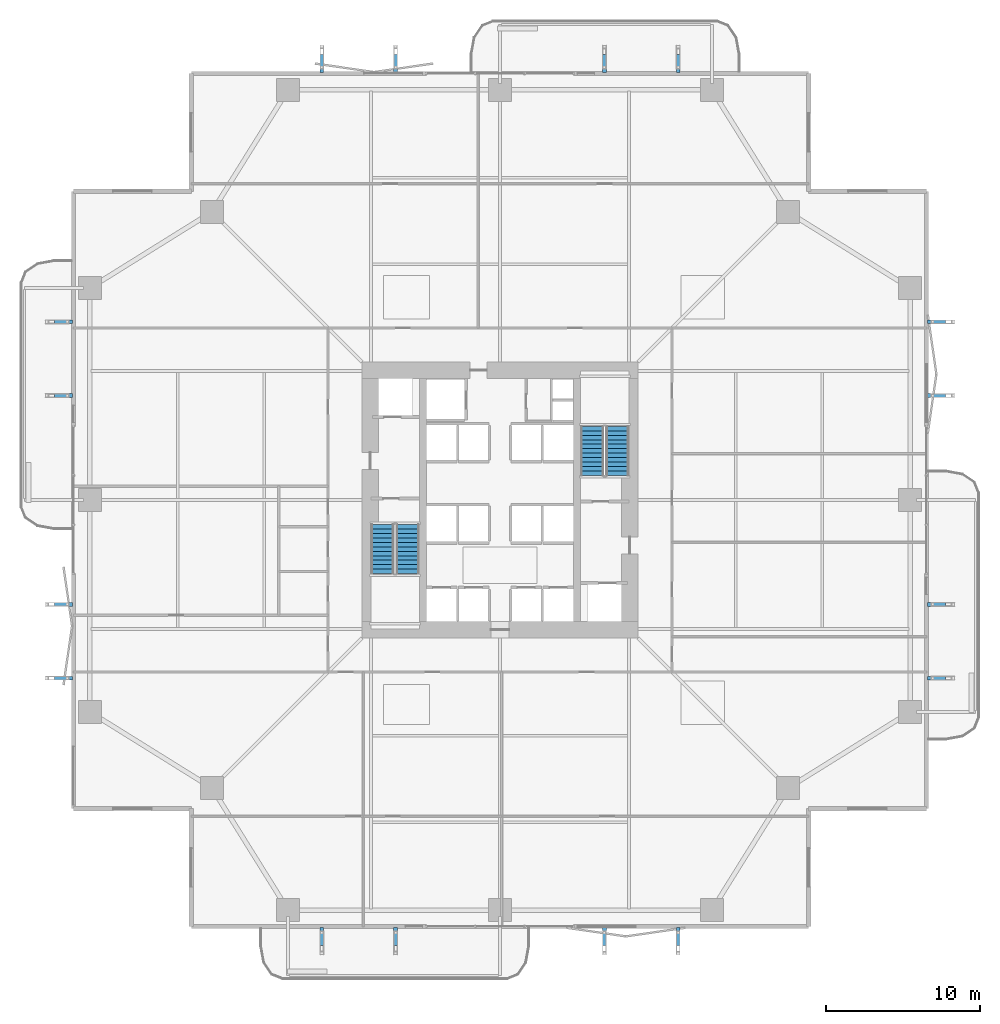
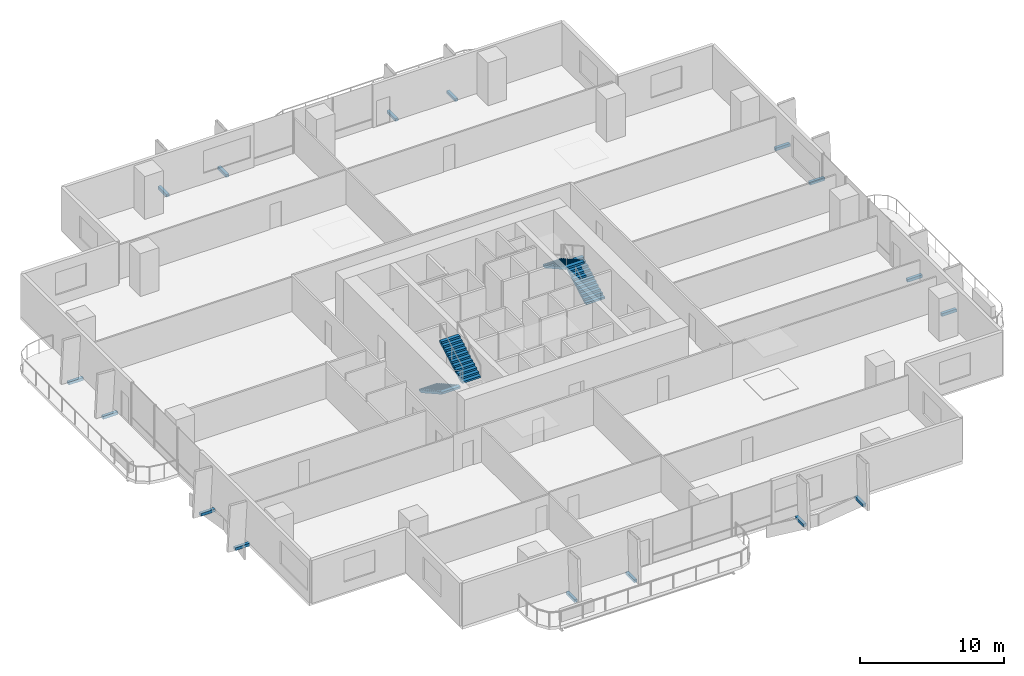
# One storey, part 20 of 23: 16 discrete accessories, 4 stair flights, 2 elements without a shape of their own.
"""IFC4 building model written with IfcOpenShell, lengths in metres."""

from ifc_helpers import new_model, si_unit, direction, frame, origin, origin_2d, place, context, subcontext, project, spatial, polyline, rectangle, outline, extrude, material, layer, layer_set, type_object, element, aggregate, save


model = new_model("IFC4")

# Units and contexts
model_context = context("Model", 3, precision=1e-05, world=origin(), true_north=direction((0.0, 1.0)))
body_context = subcontext(model_context, "Body", "Model", "MODEL_VIEW")
ifc_project = project(units=[si_unit("LENGTHUNIT", "METRE"), si_unit("AREAUNIT", "SQUARE_METRE"), si_unit("VOLUMEUNIT", "CUBIC_METRE"), si_unit("PLANEANGLEUNIT", "RADIAN"), si_unit("MASSUNIT", "GRAM", prefix="KILO")], contexts=[model_context])

# Site, building, storey
site_placement = place(None, origin())
site = spatial("IfcSite", under=ifc_project, at=site_placement, CompositionType="ELEMENT")
building_placement = place(site_placement, origin())
building = spatial("IfcBuilding", under=site, at=building_placement, Name="Belovzor Exchange Tower", CompositionType="ELEMENT")
storey_placement = place(building_placement, frame((0.0, 0.0, 76.800048828125)))
storey = spatial("IfcBuildingStorey", under=building, at=storey_placement, Name="L18", CompositionType="ELEMENT", Elevation=76.800048828125)

# Stair, stair flights
ifc_material_1 = material(Name="Concrete C40/50", Category="concrete")
stair_type = type_object("IfcStairType", Name="Reinforced Concrete Dogleg Escape Stair 1350", PredefinedType="HALF_TURN_STAIR", material=ifc_material_1)
stair_1_placement = place(storey_placement, origin())
stair_1 = element("IfcStair", 1, at=stair_1_placement, inside=storey, type_object=stair_type, Name="L18 ST-1", PredefinedType="HALF_TURN_STAIR")
ifc_material_2 = material(Name="Concrete C40/50", Category="concrete")
stair_flight_type = type_object("IfcStairFlightType", Name="Reinforced Concrete Stair Flight 1350", PredefinedType="STRAIGHT", material=ifc_material_2)
stair_flight_1_placement = place(storey_placement, frame((21.14990234375, 27.199951171875, 0.0), z_axis=(0.0, 0.0, 1.0), x_axis=(0.0, -1.0, 0.0)))
stair_flight_1 = element("IfcStairFlight", 2, at=stair_flight_1_placement, type_object=stair_flight_type, Name="ST-1 flight 1", NumberOfRisers=12, NumberOfTreads=11, PredefinedType="STRAIGHT", RiserHeight=0.1625, TreadLength=0.29, context=body_context, shape_type="SweptSolid", body=[
    extrude(outline(polyline([(0.0, 0.0), (0.0, 0.16259765625), (0.2900390625, 0.16259765625), (0.2900390625, 0.324951171875), (0.580078125, 0.324951171875), (0.580078125, 0.487548828125), (0.8701171875, 0.487548828125), (0.8701171875, 0.64990234375), (1.159912109375, 0.64990234375), (1.159912109375, 0.8125), (1.449951171875, 0.8125), (1.449951171875, 0.97509765625), (1.739990234375, 0.97509765625), (1.739990234375, 1.137451171875), (2.030029296875, 1.137451171875), (2.030029296875, 1.300048828125), (2.320068359375, 1.300048828125), (2.320068359375, 1.46240234375), (2.610107421875, 1.46240234375), (2.610107421875, 1.625), (2.89990234375, 1.625), (2.89990234375, 1.78759765625), (3.18994140625, 1.78759765625), (3.18994140625, 1.949951171875), (3.18994140625, 1.61572265625), (0.306640625, 0.0), (0.0, 0.0)])), frame((0.0, 0.75, 0.0), z_axis=(0.0, -1.0, 0.0), x_axis=(1.0, 0.0, 0.0)), (0.0, 0.0, 1.0), 1.5),
])
stair_flight_2_placement = place(storey_placement, frame((22.800048828125, 24.010009765625, 1.949951171875), z_axis=(0.0, 0.0, 1.0), x_axis=(0.0, 1.0, 0.0)))
stair_flight_2 = element("IfcStairFlight", 3, at=stair_flight_2_placement, type_object=stair_flight_type, Name="ST-1 flight 2", NumberOfRisers=12, NumberOfTreads=11, PredefinedType="STRAIGHT", RiserHeight=0.1625, TreadLength=0.29, context=body_context, shape_type="SweptSolid", body=[
    extrude(outline(polyline([(0.0, 0.0), (0.0, 0.16259765625), (0.2900390625, 0.16259765625), (0.2900390625, 0.324951171875), (0.580078125, 0.324951171875), (0.580078125, 0.487548828125), (0.8701171875, 0.487548828125), (0.8701171875, 0.64990234375), (1.159912109375, 0.64990234375), (1.159912109375, 0.8125), (1.449951171875, 0.8125), (1.449951171875, 0.97509765625), (1.739990234375, 0.97509765625), (1.739990234375, 1.137451171875), (2.030029296875, 1.137451171875), (2.030029296875, 1.300048828125), (2.320068359375, 1.300048828125), (2.320068359375, 1.46240234375), (2.610107421875, 1.46240234375), (2.610107421875, 1.625), (2.89990234375, 1.625), (2.89990234375, 1.78759765625), (3.18994140625, 1.78759765625), (3.18994140625, 1.949951171875), (3.18994140625, 1.61572265625), (0.306640625, 0.0), (0.0, 0.0)])), frame((0.0, 0.75, 0.0), z_axis=(0.0, -1.0, 0.0), x_axis=(1.0, 0.0, 0.0)), (0.0, 0.0, 1.0), 1.5),
])
aggregate(stair_1, [stair_flight_1, stair_flight_2])

stair_2_placement = place(storey_placement, origin())
stair_2 = element("IfcStair", 4, at=stair_2_placement, inside=storey, type_object=stair_type, Name="L18 ST-2", PredefinedType="HALF_TURN_STAIR")
stair_flight_3_placement = place(storey_placement, frame((36.449951171875, 30.39990234375, 0.0), z_axis=(0.0, 0.0, 1.0), x_axis=(0.0, 1.0, 0.0)))
stair_flight_3 = element("IfcStairFlight", 5, at=stair_flight_3_placement, type_object=stair_flight_type, Name="ST-2 flight 1", NumberOfRisers=12, NumberOfTreads=11, PredefinedType="STRAIGHT", RiserHeight=0.1625, TreadLength=0.29, context=body_context, shape_type="SweptSolid", body=[
    extrude(outline(polyline([(0.0, 0.0), (0.0, 0.16259765625), (0.2900390625, 0.16259765625), (0.2900390625, 0.324951171875), (0.580078125, 0.324951171875), (0.580078125, 0.487548828125), (0.8701171875, 0.487548828125), (0.8701171875, 0.64990234375), (1.159912109375, 0.64990234375), (1.159912109375, 0.8125), (1.449951171875, 0.8125), (1.449951171875, 0.97509765625), (1.739990234375, 0.97509765625), (1.739990234375, 1.137451171875), (2.030029296875, 1.137451171875), (2.030029296875, 1.300048828125), (2.320068359375, 1.300048828125), (2.320068359375, 1.46240234375), (2.610107421875, 1.46240234375), (2.610107421875, 1.625), (2.89990234375, 1.625), (2.89990234375, 1.78759765625), (3.18994140625, 1.78759765625), (3.18994140625, 1.949951171875), (3.18994140625, 1.61572265625), (0.306640625, 0.0), (0.0, 0.0)])), frame((0.0, 0.75, 0.0), z_axis=(0.0, -1.0, 0.0), x_axis=(1.0, 0.0, 0.0)), (0.0, 0.0, 1.0), 1.5),
])
stair_flight_4_placement = place(storey_placement, frame((34.800048828125, 33.590087890625, 1.949951171875), z_axis=(0.0, 0.0, 1.0), x_axis=(0.0, -1.0, 0.0)))
stair_flight_4 = element("IfcStairFlight", 6, at=stair_flight_4_placement, type_object=stair_flight_type, Name="ST-2 flight 2", NumberOfRisers=12, NumberOfTreads=11, PredefinedType="STRAIGHT", RiserHeight=0.1625, TreadLength=0.29, context=body_context, shape_type="SweptSolid", body=[
    extrude(outline(polyline([(0.0, 0.0), (0.0, 0.16259765625), (0.2900390625, 0.16259765625), (0.2900390625, 0.324951171875), (0.580078125, 0.324951171875), (0.580078125, 0.487548828125), (0.8701171875, 0.487548828125), (0.8701171875, 0.64990234375), (1.159912109375, 0.64990234375), (1.159912109375, 0.8125), (1.449951171875, 0.8125), (1.449951171875, 0.97509765625), (1.739990234375, 0.97509765625), (1.739990234375, 1.137451171875), (2.030029296875, 1.137451171875), (2.030029296875, 1.300048828125), (2.320068359375, 1.300048828125), (2.320068359375, 1.46240234375), (2.610107421875, 1.46240234375), (2.610107421875, 1.625), (2.89990234375, 1.625), (2.89990234375, 1.78759765625), (3.18994140625, 1.78759765625), (3.18994140625, 1.949951171875), (3.18994140625, 1.61572265625), (0.306640625, 0.0), (0.0, 0.0)])), frame((0.0, 0.75, 0.0), z_axis=(0.0, -1.0, 0.0), x_axis=(1.0, 0.0, 0.0)), (0.0, 0.0, 1.0), 1.5),
])
aggregate(stair_2, [stair_flight_3, stair_flight_4])

# Discrete accessories
ifc_material_3 = material(Name="Stainless Steel Grade 316", Category="steel")
ifc_layer = layer(ifc_material_3, 0.179931640625)
ifc_layer_set = layer_set([ifc_layer], Name="Stainless Steel Grade 316")
discrete_accessory_type = type_object("IfcDiscreteAccessoryType", Name="Stainless Steel Facade Outrigger Fixing Bracket", PredefinedType="BRACKET", material=ifc_layer_set)
for number, where, z_axis, x_axis, name in (
    (7, (17.199951171875, 0.386962890625, -0.2451171875), (0.0, 0.0, 1.0), (0.0, 1.0, 0.0), "BRK-FIN1 Sweeping Fin Outrigger Bracket L18 S1"),
    (8, (17.199951171875, 57.212890625, -0.2451171875), (0.0, 0.0, 1.0), (0.0, 1.0, 0.0), "BRK-FIN1 Sweeping Fin Outrigger Bracket L18 N1"),
    (9, (0.386962890625, 17.199951171875, -0.2451171875), (0.0, 0.0, 1.0), (1.0, 0.0, 0.0), "BRK-FIN1 Sweeping Fin Outrigger Bracket L18 W1"),
    (10, (57.212890625, 17.199951171875, -0.2451171875), (0.0, 0.0, 1.0), (1.0, 0.0, 0.0), "BRK-FIN1 Sweeping Fin Outrigger Bracket L18 E1"),
    (11, (22.0, 0.386962890625, -0.2451171875), (0.0, 0.0, 1.0), (0.0, 1.0, 0.0), "BRK-FIN1 Sweeping Fin Outrigger Bracket L18 S2"),
    (12, (22.0, 57.212890625, -0.2451171875), (0.0, 0.0, 1.0), (0.0, 1.0, 0.0), "BRK-FIN1 Sweeping Fin Outrigger Bracket L18 N2"),
    (13, (0.386962890625, 22.0, -0.2451171875), (0.0, 0.0, 1.0), (1.0, 0.0, 0.0), "BRK-FIN1 Sweeping Fin Outrigger Bracket L18 W2"),
    (14, (57.212890625, 22.0, -0.2451171875), (0.0, 0.0, 1.0), (1.0, 0.0, 0.0), "BRK-FIN1 Sweeping Fin Outrigger Bracket L18 E2"),
    (15, (35.60009765625, 0.386962890625, -0.2451171875), (0.0, 0.0, 1.0), (0.0, 1.0, 0.0), "BRK-FIN1 Sweeping Fin Outrigger Bracket L18 S3"),
    (16, (35.60009765625, 57.212890625, -0.2451171875), (0.0, 0.0, 1.0), (0.0, 1.0, 0.0), "BRK-FIN1 Sweeping Fin Outrigger Bracket L18 N3"),
    (17, (0.386962890625, 35.60009765625, -0.2451171875), (0.0, 0.0, 1.0), (1.0, 0.0, 0.0), "BRK-FIN1 Sweeping Fin Outrigger Bracket L18 W3"),
    (18, (57.212890625, 35.60009765625, -0.2451171875), (0.0, 0.0, 1.0), (1.0, 0.0, 0.0), "BRK-FIN1 Sweeping Fin Outrigger Bracket L18 E3"),
    (19, (40.39990234375, 0.386962890625, -0.2451171875), (0.0, 0.0, 1.0), (0.0, 1.0, 0.0), "BRK-FIN1 Sweeping Fin Outrigger Bracket L18 S4"),
    (20, (40.39990234375, 57.212890625, -0.2451171875), (0.0, 0.0, 1.0), (0.0, 1.0, 0.0), "BRK-FIN1 Sweeping Fin Outrigger Bracket L18 N4"),
    (21, (0.386962890625, 40.39990234375, -0.2451171875), (0.0, 0.0, 1.0), (1.0, 0.0, 0.0), "BRK-FIN1 Sweeping Fin Outrigger Bracket L18 W4"),
    (22, (57.212890625, 40.39990234375, -0.2451171875), (0.0, 0.0, 1.0), (1.0, 0.0, 0.0), "BRK-FIN1 Sweeping Fin Outrigger Bracket L18 E4"),
):
    element("IfcDiscreteAccessory", number, at=place(storey_placement, frame(where, z_axis=z_axis, x_axis=x_axis)), inside=storey, type_object=discrete_accessory_type, Name=name, PredefinedType="BRACKET", context=body_context, shape_type="SweptSolid", body=[
        extrude(rectangle(XDim=1.18603515625, YDim=0.239990234375, at=origin_2d()), origin(), (0.0, 0.0, 1.0), 0.239990234375),
    ])

save(model, "model.ifc")
